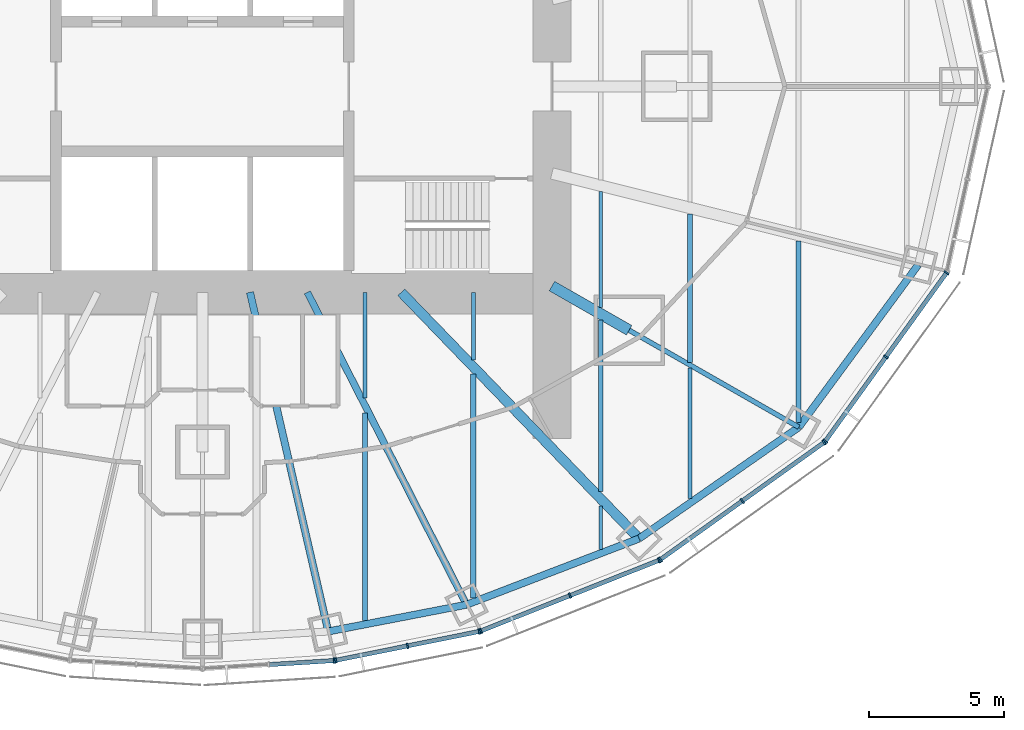
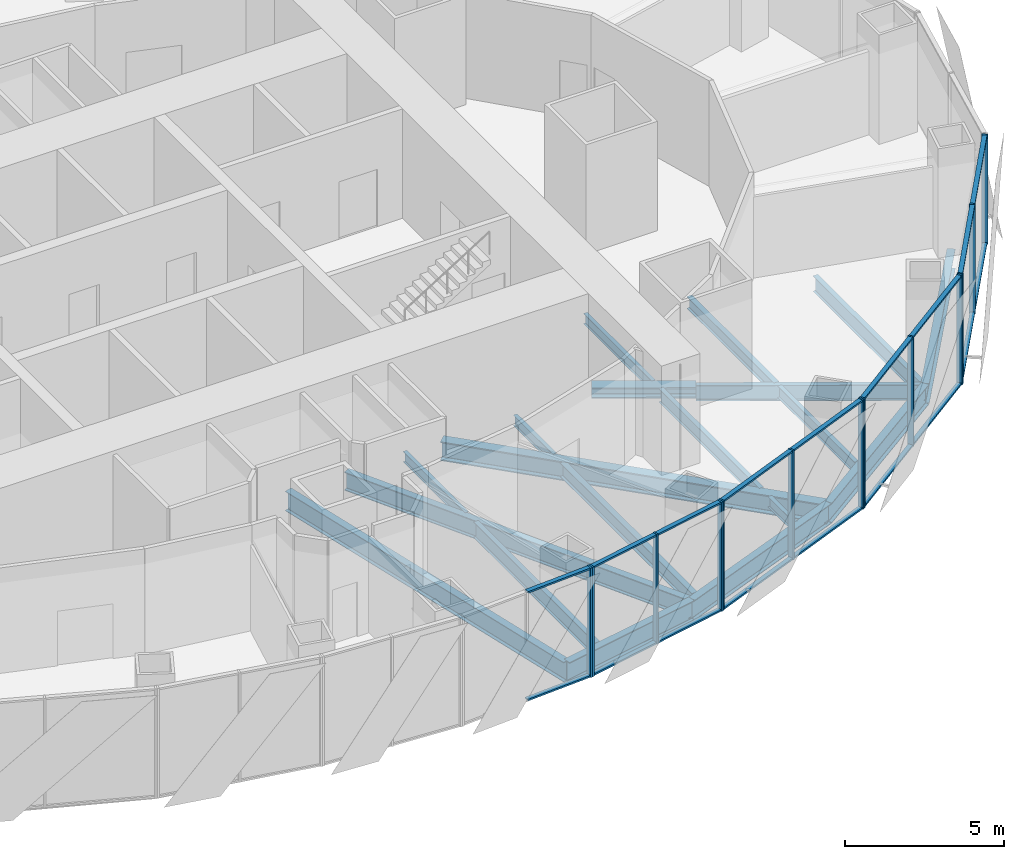
# One storey, part 5 of 17: 31 members, 19 beams, 5 elements without a shape of their own.
"""IFC4 building model written with IfcOpenShell, lengths in metres."""

from ifc_helpers import new_model, si_unit, direction, frame, origin, origin_2d, place, context, subcontext, project, spatial, rectangle, i_section, extrude, material, material_profile, profile_set, type_object, element, aggregate, save


model = new_model("IFC4")

# Units and contexts
model_context = context("Model", 3, precision=1e-05, world=origin(), true_north=direction((0.0, 1.0)))
body_context = subcontext(model_context, "Body", "Model", "MODEL_VIEW")
ifc_project = project(units=[si_unit("LENGTHUNIT", "METRE"), si_unit("AREAUNIT", "SQUARE_METRE"), si_unit("VOLUMEUNIT", "CUBIC_METRE"), si_unit("PLANEANGLEUNIT", "RADIAN"), si_unit("MASSUNIT", "GRAM", prefix="KILO")], contexts=[model_context])

# Site, building, storey
site_placement = place(None, origin())
site = spatial("IfcSite", under=ifc_project, at=site_placement, CompositionType="ELEMENT")
building_placement = place(site_placement, origin())
building = spatial("IfcBuilding", under=site, at=building_placement, Name="Lantaw Convention Tower", CompositionType="ELEMENT")
storey_placement = place(building_placement, frame((0.0, 0.0, 155.199951171875)))
storey = spatial("IfcBuildingStorey", under=building, at=storey_placement, Name="L36", CompositionType="ELEMENT", Elevation=155.199951171875)

# Beams
ifc_material_1 = material(Name="Steel ASTM A992", Category="steel")
ifc_material_profile_1 = material_profile(ifc_material_1, i_section(OverallWidth=0.2666015625, OverallDepth=0.76953125, WebThickness=0.015625, FlangeThickness=0.025390625, FilletRadius=0.0126953125, at=origin_2d()), Name="W30X132")
ifc_profile_set_1 = profile_set([ifc_material_profile_1], Name="Steel ASTM A992")
beam_type_1 = type_object("IfcBeamType", Name="Beam E W30X132", PredefinedType="SPANDREL", material=ifc_profile_set_1)
beam_1_placement = place(storey_placement, frame((4.64501953125, -20.1201171875, -0.53466796875), z_axis=(0.981796805654, 0.189934284446, 0.0), x_axis=(-0.189934284446, 0.981796805654, 0.0)))
element("IfcBeam", 1, at=beam_1_placement, inside=storey, type_object=beam_type_1, Name="Edge beam 20", PredefinedType="SPANDREL", context=body_context, shape_type="SweptSolid", body=[
    extrude(i_section(OverallWidth=0.2666015625, OverallDepth=0.76953125, WebThickness=0.015625, FlangeThickness=0.025390625, FilletRadius=0.0126953125, at=origin_2d()), origin(), (0.0, 0.0, 1.0), 5.1982421875),
])
beam_2_placement = place(storey_placement, frame((9.74853515625, -19.1328125, -0.53466796875), z_axis=(0.933691081977, 0.358079549033, 0.0), x_axis=(-0.358079549033, 0.933691081977, 0.0)))
element("IfcBeam", 2, at=beam_2_placement, inside=storey, type_object=beam_type_1, Name="Edge beam 21", PredefinedType="SPANDREL", context=body_context, shape_type="SweptSolid", body=[
    extrude(i_section(OverallWidth=0.2666015625, OverallDepth=0.76953125, WebThickness=0.015625, FlangeThickness=0.025390625, FilletRadius=0.0126953125, at=origin_2d()), origin(), (0.0, 0.0, 1.0), 6.821533203125),
])
beam_3_placement = place(storey_placement, frame((16.11767578125, -16.690185546875, -0.53466796875), z_axis=(0.820310765287, 0.57191804339, 0.0), x_axis=(-0.57191804339, 0.820310765287, 0.0)))
element("IfcBeam", 3, at=beam_3_placement, inside=storey, type_object=beam_type_1, Name="Edge beam 22", PredefinedType="SPANDREL", context=body_context, shape_type="SweptSolid", body=[
    extrude(i_section(OverallWidth=0.2666015625, OverallDepth=0.76953125, WebThickness=0.015625, FlangeThickness=0.025390625, FilletRadius=0.0126953125, at=origin_2d()), origin(), (0.0, 0.0, 1.0), 7.187744140625),
])
beam_4_placement = place(storey_placement, frame((22.013916015625, -12.579345703125, -0.53466796875), z_axis=(0.5923891972, 0.805651934176, 0.0), x_axis=(-0.805651934176, 0.5923891972, 0.0)))
element("IfcBeam", 4, at=beam_4_placement, inside=storey, type_object=beam_type_1, Name="Edge beam 23", PredefinedType="SPANDREL", context=body_context, shape_type="SweptSolid", body=[
    extrude(i_section(OverallWidth=0.2666015625, OverallDepth=0.76953125, WebThickness=0.015625, FlangeThickness=0.025390625, FilletRadius=0.0126953125, at=origin_2d()), origin(), (0.0, 0.0, 1.0), 7.437744140625),
])
ifc_material_profile_2 = material_profile(ifc_material_1, i_section(OverallWidth=0.177978515625, OverallDepth=0.599365234375, WebThickness=0.010009765625, FlangeThickness=0.012939453125, FilletRadius=0.012939453125, at=origin_2d()), Name="W24X55")
ifc_profile_set_2 = profile_set([ifc_material_profile_2], Name="Steel ASTM A992")
beam_type_2 = type_object("IfcBeamType", Name="Beam G W24X55", PredefinedType="BEAM", material=ifc_profile_set_2)
beam_5_placement = place(storey_placement, frame((15.75, -9.0, -0.44970703125), z_axis=(0.868245224608, -0.496135293993, 0.0), x_axis=(0.496135293993, 0.868245224608, 0.0)))
element("IfcBeam", 5, at=beam_5_placement, inside=storey, type_object=beam_type_2, Name="Floor girder on ray 23", PredefinedType="BEAM", context=body_context, shape_type="SweptSolid", body=[
    extrude(i_section(OverallWidth=0.177978515625, OverallDepth=0.599365234375, WebThickness=0.010009765625, FlangeThickness=0.012939453125, FilletRadius=0.012939453125, at=origin_2d()), origin(), (0.0, 0.0, 1.0), 7.21435546875),
])
ifc_material_profile_3 = material_profile(ifc_material_1, i_section(OverallWidth=0.25390625, OverallDepth=0.700927734375, WebThickness=0.015380859375, FlangeThickness=0.02783203125, FilletRadius=0.01513671875, at=origin_2d()), Name="W27X129")
ifc_profile_set_3 = profile_set([ifc_material_profile_3], Name="Steel ASTM A992")
beam_type_3 = type_object("IfcBeamType", Name="Beam G W27X129", PredefinedType="BEAM", material=ifc_profile_set_3)
beam_6_placement = place(storey_placement, frame((3.872314453125, -7.60009765625, -0.50048828125), z_axis=(0.453991051051, -0.891006243281, 0.0), x_axis=(0.891006243281, 0.453991051051, 0.0)))
element("IfcBeam", 6, at=beam_6_placement, inside=storey, type_object=beam_type_3, Name="Floor girder on ray 21", PredefinedType="BEAM", context=body_context, shape_type="SweptSolid", body=[
    extrude(i_section(OverallWidth=0.25390625, OverallDepth=0.700927734375, WebThickness=0.015380859375, FlangeThickness=0.02783203125, FilletRadius=0.01513671875, at=origin_2d()), origin(), (0.0, 0.0, 1.0), 12.943359375),
])
ifc_material_profile_4 = material_profile(ifc_material_1, i_section(OverallWidth=0.360595703125, OverallDepth=0.72900390625, WebThickness=0.023193359375, FlangeThickness=0.041015625, FilletRadius=0.0126953125, at=origin_2d()), Name="W27X235")
ifc_profile_set_4 = profile_set([ifc_material_profile_4], Name="Steel ASTM A992")
beam_type_4 = type_object("IfcBeamType", Name="Beam G W27X235", PredefinedType="BEAM", material=ifc_profile_set_4)
beam_7_placement = place(storey_placement, frame((7.33935546875, -7.60009765625, -0.514404296875), z_axis=(0.694663467407, -0.719334878239, 0.0), x_axis=(0.719334878239, 0.694663467407, 0.0)))
element("IfcBeam", 7, at=beam_7_placement, inside=storey, type_object=beam_type_4, Name="Floor girder on ray 22", PredefinedType="BEAM", context=body_context, shape_type="SweptSolid", body=[
    extrude(i_section(OverallWidth=0.360595703125, OverallDepth=0.72900390625, WebThickness=0.023193359375, FlangeThickness=0.041015625, FilletRadius=0.0126953125, at=origin_2d()), origin(), (0.0, 0.0, 1.0), 12.63671875),
])
ifc_material_profile_5 = material_profile(ifc_material_1, i_section(OverallWidth=0.2666015625, OverallDepth=0.7568359375, WebThickness=0.013916015625, FlangeThickness=0.019287109375, FilletRadius=0.0126953125, at=origin_2d()), Name="W30X108")
ifc_profile_set_5 = profile_set([ifc_material_profile_5], Name="Steel ASTM A992")
beam_type_5 = type_object("IfcBeamType", Name="Beam G W30X108", PredefinedType="BEAM", material=ifc_profile_set_5)
beam_8_placement = place(storey_placement, frame((1.754638671875, -7.60009765625, -0.5283203125), z_axis=(0.224944153104, -0.974371658036, 0.0), x_axis=(0.974371658036, 0.224944153104, 0.0)))
element("IfcBeam", 8, at=beam_8_placement, inside=storey, type_object=beam_type_5, Name="Floor girder on ray 20", PredefinedType="BEAM", context=body_context, shape_type="SweptSolid", body=[
    extrude(i_section(OverallWidth=0.2666015625, OverallDepth=0.7568359375, WebThickness=0.013916015625, FlangeThickness=0.019287109375, FilletRadius=0.0126953125, at=origin_2d()), origin(), (0.0, 0.0, 1.0), 12.849365234375),
])
ifc_material_profile_6 = material_profile(ifc_material_1, i_section(OverallWidth=0.40380859375, OverallDepth=0.406494140625, WebThickness=0.027099609375, FlangeThickness=0.043701171875, FilletRadius=0.01513671875, at=origin_2d()), Name="W14X233")
ifc_profile_set_6 = profile_set([ifc_material_profile_6], Name="Steel ASTM A992")
beam_type_6 = type_object("IfcBeamType", Name="Beam GM W14X233", PredefinedType="BEAM", material=ifc_profile_set_6)
beam_9_placement = place(storey_placement, frame((12.89990234375, -7.371337890625, -0.353271484375), z_axis=(0.868238565244, -0.496146947811, 0.0), x_axis=(0.496146947811, 0.868238565244, 0.0)))
element("IfcBeam", 9, at=beam_9_placement, inside=storey, type_object=beam_type_6, Name="Core link beam on ray 23", PredefinedType="BEAM", context=body_context, shape_type="SweptSolid", body=[
    extrude(i_section(OverallWidth=0.40380859375, OverallDepth=0.406494140625, WebThickness=0.027099609375, FlangeThickness=0.043701171875, FilletRadius=0.01513671875, at=origin_2d()), origin(), (0.0, 0.0, 1.0), 3.28271484375),
])
ifc_material_profile_7 = material_profile(ifc_material_1, i_section(OverallWidth=0.140380859375, OverallDepth=0.40380859375, WebThickness=0.007080078125, FlangeThickness=0.01123046875, FilletRadius=0.01025390625, at=origin_2d()), Name="W16X31")
ifc_profile_set_7 = profile_set([ifc_material_profile_7], Name="Steel ASTM A992")
beam_type_7 = type_object("IfcBeamType", Name="Beam J W16X31", PredefinedType="JOIST", material=ifc_profile_set_7)
beam_10_placement = place(storey_placement, frame((6.0, -11.495849609375, -0.351806640625), z_axis=(0.0, 1.0, 0.0), x_axis=(-1.0, 0.0, 0.0)))
element("IfcBeam", 10, at=beam_10_placement, inside=storey, type_object=beam_type_7, Name="Floor joist", PredefinedType="JOIST", context=body_context, shape_type="SweptSolid", body=[
    extrude(i_section(OverallWidth=0.140380859375, OverallDepth=0.40380859375, WebThickness=0.007080078125, FlangeThickness=0.01123046875, FilletRadius=0.01025390625, at=origin_2d()), origin(), (0.0, 0.0, 1.0), 3.895751953125),
])
beam_11_placement = place(storey_placement, frame((10.0, -10.095703125, -0.351806640625), z_axis=(0.0, 1.0, 0.0), x_axis=(-1.0, 0.0, 0.0)))
element("IfcBeam", 11, at=beam_11_placement, inside=storey, type_object=beam_type_7, Name="Floor joist", PredefinedType="JOIST", context=body_context, shape_type="SweptSolid", body=[
    extrude(i_section(OverallWidth=0.140380859375, OverallDepth=0.40380859375, WebThickness=0.007080078125, FlangeThickness=0.01123046875, FilletRadius=0.01025390625, at=origin_2d()), origin(), (0.0, 0.0, 1.0), 2.49560546875),
])
beam_12_placement = place(storey_placement, frame((14.699951171875, -17.091064453125, -0.351806640625), z_axis=(0.0, 1.0, 0.0), x_axis=(-1.0, 0.0, 0.0)))
element("IfcBeam", 12, at=beam_12_placement, inside=storey, type_object=beam_type_7, Name="Floor joist", PredefinedType="JOIST", context=body_context, shape_type="SweptSolid", body=[
    extrude(i_section(OverallWidth=0.140380859375, OverallDepth=0.40380859375, WebThickness=0.007080078125, FlangeThickness=0.01123046875, FilletRadius=0.01025390625, at=origin_2d()), origin(), (0.0, 0.0, 1.0), 1.609130859375),
])
beam_13_placement = place(storey_placement, frame((14.699951171875, -8.16748046875, -0.351806640625), z_axis=(0.0, 1.0, 0.0), x_axis=(-1.0, 0.0, 0.0)))
element("IfcBeam", 13, at=beam_13_placement, inside=storey, type_object=beam_type_7, Name="Floor joist", PredefinedType="JOIST", context=body_context, shape_type="SweptSolid", body=[
    extrude(i_section(OverallWidth=0.140380859375, OverallDepth=0.40380859375, WebThickness=0.007080078125, FlangeThickness=0.01123046875, FilletRadius=0.01025390625, at=origin_2d()), origin(), (0.0, 0.0, 1.0), 4.28515625),
])
ifc_material_profile_8 = material_profile(ifc_material_1, i_section(OverallWidth=0.15234375, OverallDepth=0.449462890625, WebThickness=0.007568359375, FlangeThickness=0.0107421875, FilletRadius=0.01025390625, at=origin_2d()), Name="W18X35")
ifc_profile_set_8 = profile_set([ifc_material_profile_8], Name="Steel ASTM A992")
beam_type_8 = type_object("IfcBeamType", Name="Beam J W18X35", PredefinedType="JOIST", material=ifc_profile_set_8)
beam_14_placement = place(storey_placement, frame((18.0, -15.21533203125, -0.374755859375), z_axis=(0.0, 1.0, 0.0), x_axis=(-1.0, 0.0, 0.0)))
element("IfcBeam", 14, at=beam_14_placement, inside=storey, type_object=beam_type_8, Name="Floor joist", PredefinedType="JOIST", context=body_context, shape_type="SweptSolid", body=[
    extrude(i_section(OverallWidth=0.15234375, OverallDepth=0.449462890625, WebThickness=0.007568359375, FlangeThickness=0.0107421875, FilletRadius=0.01025390625, at=origin_2d()), origin(), (0.0, 0.0, 1.0), 4.8271484375),
])
ifc_material_profile_9 = material_profile(ifc_material_1, i_section(OverallWidth=0.1904296875, OverallDepth=0.457275390625, WebThickness=0.009033203125, FlangeThickness=0.014404296875, FilletRadius=0.01025390625, at=origin_2d()), Name="W18X50")
ifc_profile_set_9 = profile_set([ifc_material_profile_9], Name="Steel ASTM A992")
beam_type_9 = type_object("IfcBeamType", Name="Beam J W18X50", PredefinedType="JOIST", material=ifc_profile_set_9)
beam_15_placement = place(storey_placement, frame((18.0, -10.18310546875, -0.378662109375), z_axis=(0.0, 1.0, 0.0), x_axis=(-1.0, 0.0, 0.0)))
element("IfcBeam", 15, at=beam_15_placement, inside=storey, type_object=beam_type_9, Name="Floor joist", PredefinedType="JOIST", context=body_context, shape_type="SweptSolid", body=[
    extrude(i_section(OverallWidth=0.1904296875, OverallDepth=0.457275390625, WebThickness=0.009033203125, FlangeThickness=0.014404296875, FilletRadius=0.01025390625, at=origin_2d()), origin(), (0.0, 0.0, 1.0), 5.47802734375),
])
ifc_material_profile_10 = material_profile(ifc_material_1, i_section(OverallWidth=0.1650390625, OverallDepth=0.52587890625, WebThickness=0.0087890625, FlangeThickness=0.011474609375, FilletRadius=0.0126953125, at=origin_2d()), Name="W21X44")
ifc_profile_set_10 = profile_set([ifc_material_profile_10], Name="Steel ASTM A992")
beam_type_10 = type_object("IfcBeamType", Name="Beam J W21X44", PredefinedType="JOIST", material=ifc_profile_set_10)
beam_16_placement = place(storey_placement, frame((14.699951171875, -14.962646484375, -0.412841796875), z_axis=(0.0, 1.0, 0.0), x_axis=(-1.0, 0.0, 0.0)))
element("IfcBeam", 16, at=beam_16_placement, inside=storey, type_object=beam_type_10, Name="Floor joist", PredefinedType="JOIST", context=body_context, shape_type="SweptSolid", body=[
    extrude(i_section(OverallWidth=0.1650390625, OverallDepth=0.52587890625, WebThickness=0.0087890625, FlangeThickness=0.011474609375, FilletRadius=0.0126953125, at=origin_2d()), origin(), (0.0, 0.0, 1.0), 6.330078125),
])
ifc_material_profile_11 = material_profile(ifc_material_1, i_section(OverallWidth=0.2099609375, OverallDepth=0.535888671875, WebThickness=0.010986328125, FlangeThickness=0.017333984375, FilletRadius=0.012939453125, at=origin_2d()), Name="W21X68")
ifc_profile_set_11 = profile_set([ifc_material_profile_11], Name="Steel ASTM A992")
beam_type_11 = type_object("IfcBeamType", Name="Beam J W21X68", PredefinedType="JOIST", material=ifc_profile_set_11)
beam_17_placement = place(storey_placement, frame((10.0, -18.8935546875, -0.41796875), z_axis=(0.0, 1.0, 0.0), x_axis=(-1.0, 0.0, 0.0)))
element("IfcBeam", 17, at=beam_17_placement, inside=storey, type_object=beam_type_11, Name="Floor joist", PredefinedType="JOIST", context=body_context, shape_type="SweptSolid", body=[
    extrude(i_section(OverallWidth=0.2099609375, OverallDepth=0.535888671875, WebThickness=0.010986328125, FlangeThickness=0.017333984375, FilletRadius=0.012939453125, at=origin_2d()), origin(), (0.0, 0.0, 1.0), 8.278564453125),
])
ifc_material_profile_12 = material_profile(ifc_material_1, i_section(OverallWidth=0.177978515625, OverallDepth=0.599365234375, WebThickness=0.010009765625, FlangeThickness=0.012939453125, FilletRadius=0.012939453125, at=origin_2d()), Name="W24X55")
ifc_profile_set_12 = profile_set([ifc_material_profile_12], Name="Steel ASTM A992")
beam_type_12 = type_object("IfcBeamType", Name="Beam J W24X55", PredefinedType="JOIST", material=ifc_profile_set_12)
beam_18_placement = place(storey_placement, frame((6.0, -19.72216796875, -0.44970703125), z_axis=(0.0, 1.0, 0.0), x_axis=(-1.0, 0.0, 0.0)))
element("IfcBeam", 18, at=beam_18_placement, inside=storey, type_object=beam_type_12, Name="Floor joist", PredefinedType="JOIST", context=body_context, shape_type="SweptSolid", body=[
    extrude(i_section(OverallWidth=0.177978515625, OverallDepth=0.599365234375, WebThickness=0.010009765625, FlangeThickness=0.012939453125, FilletRadius=0.012939453125, at=origin_2d()), origin(), (0.0, 0.0, 1.0), 7.666748046875),
])
beam_19_placement = place(storey_placement, frame((22.0, -12.408935546875, -0.44970703125), z_axis=(0.0, 1.0, 0.0), x_axis=(-1.0, 0.0, 0.0)))
element("IfcBeam", 19, at=beam_19_placement, inside=storey, type_object=beam_type_12, Name="Floor joist", PredefinedType="JOIST", context=body_context, shape_type="SweptSolid", body=[
    extrude(i_section(OverallWidth=0.177978515625, OverallDepth=0.599365234375, WebThickness=0.010009765625, FlangeThickness=0.012939453125, FilletRadius=0.012939453125, at=origin_2d()), origin(), (0.0, 0.0, 1.0), 6.70654296875),
])

# Curtain wall, member
ifc_material_2 = material(Name="Aluminium framed curtain wall", Category="aluminium")
curtain_wall_type = type_object("IfcCurtainWallType", Name="Office curtain wall low rise, pale aluminium", PredefinedType="USERDEFINED", material=ifc_material_2)
curtain_wall_1_placement = place(storey_placement, origin())
curtain_wall_1 = element("IfcCurtainWall", 20, at=curtain_wall_1_placement, inside=storey, type_object=curtain_wall_type, Name="Office curtain wall low rise, pale aluminium L36", ObjectType="UNITISED CURTAIN WALL", PredefinedType="USERDEFINED")
ifc_material_3 = material(Name="Aluminium 6063-T6", Category="aluminium")
ifc_material_profile_13 = material_profile(ifc_material_3, rectangle(XDim=0.199951171875, YDim=0.06494140625, at=origin_2d()), Name="CW-O1 mullion 65x200")
ifc_profile_set_13 = profile_set([ifc_material_profile_13], Name="Aluminium 6063-T6")
member_type_1 = type_object("IfcMemberType", Name="CW-O1 mullion 65x200", PredefinedType="MULLION", material=ifc_profile_set_13)
member_1_placement = place(storey_placement, frame((4.860107421875, -21.19384765625, -0.14990234375), z_axis=(0.0, 0.0, 1.0), x_axis=(-0.062865059466, 0.998022035978, 0.0)))
member_1 = element("IfcMember", 21, at=member_1_placement, type_object=member_type_1, Name="CW-O1 mullion 3", PredefinedType="MULLION", context=body_context, shape_type="SweptSolid", body=[
    extrude(rectangle(XDim=0.199951171875, YDim=0.06494140625, at=origin_2d()), origin(), (0.0, 0.0, 1.0), 4.199951171875),
])

# Curtain wall, members
curtain_wall_2_placement = place(storey_placement, origin())
curtain_wall_2 = element("IfcCurtainWall", 22, at=curtain_wall_2_placement, inside=storey, type_object=curtain_wall_type, Name="Office curtain wall low rise, pale aluminium L36", ObjectType="UNITISED CURTAIN WALL", PredefinedType="USERDEFINED")
member_2_placement = place(storey_placement, frame((4.92431640625, -21.185302734375, -0.14990234375), z_axis=(0.0, 0.0, 1.0), x_axis=(-0.197506809659, 0.980301514912, 0.0)))
member_2 = element("IfcMember", 23, at=member_2_placement, type_object=member_type_1, Name="CW-O1 mullion 1", PredefinedType="MULLION", context=body_context, shape_type="SweptSolid", body=[
    extrude(rectangle(XDim=0.199951171875, YDim=0.06494140625, at=origin_2d()), origin(), (0.0, 0.0, 1.0), 4.199951171875),
])
member_3_placement = place(storey_placement, frame((7.5703125, -20.65234375, -0.14990234375), z_axis=(0.0, 0.0, 1.0), x_axis=(-0.197506809659, 0.980301514912, 0.0)))
member_3 = element("IfcMember", 24, at=member_3_placement, type_object=member_type_1, Name="CW-O1 mullion 2", PredefinedType="MULLION", context=body_context, shape_type="SweptSolid", body=[
    extrude(rectangle(XDim=0.199951171875, YDim=0.06494140625, at=origin_2d()), origin(), (0.0, 0.0, 1.0), 4.199951171875),
])
member_4_placement = place(storey_placement, frame((10.216064453125, -20.119140625, -0.14990234375), z_axis=(0.0, 0.0, 1.0), x_axis=(-0.197506809659, 0.980301514912, 0.0)))
member_4 = element("IfcMember", 25, at=member_4_placement, type_object=member_type_1, Name="CW-O1 mullion 3", PredefinedType="MULLION", context=body_context, shape_type="SweptSolid", body=[
    extrude(rectangle(XDim=0.199951171875, YDim=0.06494140625, at=origin_2d()), origin(), (0.0, 0.0, 1.0), 4.199951171875),
])

curtain_wall_3_placement = place(storey_placement, origin())
curtain_wall_3 = element("IfcCurtainWall", 26, at=curtain_wall_3_placement, inside=storey, type_object=curtain_wall_type, Name="Office curtain wall low rise, pale aluminium L36", ObjectType="UNITISED CURTAIN WALL", PredefinedType="USERDEFINED")
member_5_placement = place(storey_placement, frame((10.2783203125, -20.100830078125, -0.14990234375), z_axis=(0.0, 0.0, 1.0), x_axis=(-0.368701907483, 0.929547687544, 0.0)))
member_5 = element("IfcMember", 27, at=member_5_placement, type_object=member_type_1, Name="CW-O1 mullion 1", PredefinedType="MULLION", context=body_context, shape_type="SweptSolid", body=[
    extrude(rectangle(XDim=0.199951171875, YDim=0.06494140625, at=origin_2d()), origin(), (0.0, 0.0, 1.0), 4.199951171875),
])
member_6_placement = place(storey_placement, frame((13.56494140625, -18.797119140625, -0.14990234375), z_axis=(0.0, 0.0, 1.0), x_axis=(-0.368701907483, 0.929547687544, 0.0)))
member_6 = element("IfcMember", 28, at=member_6_placement, type_object=member_type_1, Name="CW-O1 mullion 2", PredefinedType="MULLION", context=body_context, shape_type="SweptSolid", body=[
    extrude(rectangle(XDim=0.199951171875, YDim=0.06494140625, at=origin_2d()), origin(), (0.0, 0.0, 1.0), 4.199951171875),
])
member_7_placement = place(storey_placement, frame((16.8515625, -17.49365234375, -0.14990234375), z_axis=(0.0, 0.0, 1.0), x_axis=(-0.368701907483, 0.929547687544, 0.0)))
member_7 = element("IfcMember", 29, at=member_7_placement, type_object=member_type_1, Name="CW-O1 mullion 3", PredefinedType="MULLION", context=body_context, shape_type="SweptSolid", body=[
    extrude(rectangle(XDim=0.199951171875, YDim=0.06494140625, at=origin_2d()), origin(), (0.0, 0.0, 1.0), 4.199951171875),
])

curtain_wall_4_placement = place(storey_placement, origin())
curtain_wall_4 = element("IfcCurtainWall", 30, at=curtain_wall_4_placement, inside=storey, type_object=curtain_wall_type, Name="Office curtain wall low rise, pale aluminium L36", ObjectType="UNITISED CURTAIN WALL", PredefinedType="USERDEFINED")
member_8_placement = place(storey_placement, frame((16.908203125, -17.462646484375, -0.14990234375), z_axis=(0.0, 0.0, 1.0), x_axis=(-0.581972695693, 0.813208325995, 0.0)))
member_8 = element("IfcMember", 31, at=member_8_placement, type_object=member_type_1, Name="CW-O1 mullion 1", PredefinedType="MULLION", context=body_context, shape_type="SweptSolid", body=[
    extrude(rectangle(XDim=0.199951171875, YDim=0.06494140625, at=origin_2d()), origin(), (0.0, 0.0, 1.0), 4.199951171875),
])
member_9_placement = place(storey_placement, frame((19.92529296875, -15.303466796875, -0.14990234375), z_axis=(0.0, 0.0, 1.0), x_axis=(-0.581972695693, 0.813208325995, 0.0)))
member_9 = element("IfcMember", 32, at=member_9_placement, type_object=member_type_1, Name="CW-O1 mullion 2", PredefinedType="MULLION", context=body_context, shape_type="SweptSolid", body=[
    extrude(rectangle(XDim=0.199951171875, YDim=0.06494140625, at=origin_2d()), origin(), (0.0, 0.0, 1.0), 4.199951171875),
])
member_10_placement = place(storey_placement, frame((22.942626953125, -13.14404296875, -0.14990234375), z_axis=(0.0, 0.0, 1.0), x_axis=(-0.581972695693, 0.813208325995, 0.0)))
member_10 = element("IfcMember", 33, at=member_10_placement, type_object=member_type_1, Name="CW-O1 mullion 3", PredefinedType="MULLION", context=body_context, shape_type="SweptSolid", body=[
    extrude(rectangle(XDim=0.199951171875, YDim=0.06494140625, at=origin_2d()), origin(), (0.0, 0.0, 1.0), 4.199951171875),
])

curtain_wall_5_placement = place(storey_placement, origin())
curtain_wall_5 = element("IfcCurtainWall", 34, at=curtain_wall_5_placement, inside=storey, type_object=curtain_wall_type, Name="Office curtain wall low rise, pale aluminium L36", ObjectType="UNITISED CURTAIN WALL", PredefinedType="USERDEFINED")
member_11_placement = place(storey_placement, frame((22.988037109375, -13.098876953125, -0.14990234375), z_axis=(0.0, 0.0, 1.0), x_axis=(-0.811384633629, 0.584512597221, 0.0)))
member_11 = element("IfcMember", 35, at=member_11_placement, type_object=member_type_1, Name="CW-O1 mullion 1", PredefinedType="MULLION", context=body_context, shape_type="SweptSolid", body=[
    extrude(rectangle(XDim=0.199951171875, YDim=0.06494140625, at=origin_2d()), origin(), (0.0, 0.0, 1.0), 4.199951171875),
])
member_12_placement = place(storey_placement, frame((25.22802734375, -9.9892578125, -0.14990234375), z_axis=(0.0, 0.0, 1.0), x_axis=(-0.811384633629, 0.584512597221, 0.0)))
member_12 = element("IfcMember", 36, at=member_12_placement, type_object=member_type_1, Name="CW-O1 mullion 2", PredefinedType="MULLION", context=body_context, shape_type="SweptSolid", body=[
    extrude(rectangle(XDim=0.199951171875, YDim=0.06494140625, at=origin_2d()), origin(), (0.0, 0.0, 1.0), 4.199951171875),
])
member_13_placement = place(storey_placement, frame((27.46826171875, -6.879638671875, -0.14990234375), z_axis=(0.0, 0.0, 1.0), x_axis=(-0.811384633629, 0.584512597221, 0.0)))
member_13 = element("IfcMember", 37, at=member_13_placement, type_object=member_type_1, Name="CW-O1 mullion 3", PredefinedType="MULLION", context=body_context, shape_type="SweptSolid", body=[
    extrude(rectangle(XDim=0.199951171875, YDim=0.06494140625, at=origin_2d()), origin(), (0.0, 0.0, 1.0), 4.199951171875),
])

# Member
ifc_material_profile_14 = material_profile(ifc_material_3, rectangle(XDim=0.159912109375, YDim=0.06494140625, at=origin_2d()), Name="CW-O1 transom 65x160")
ifc_profile_set_14 = profile_set([ifc_material_profile_14], Name="Aluminium 6063-T6")
member_type_2 = type_object("IfcMemberType", Name="CW-O1 transom 65x160", PredefinedType="USERDEFINED", material=ifc_profile_set_14)
member_14_placement = place(storey_placement, frame((2.478759765625, -21.34375, -0.117431640625), z_axis=(0.998022188463, 0.062862638625, 0.0), x_axis=(-0.062862638625, 0.998022188463, 0.0)))
member_14 = element("IfcMember", 38, at=member_14_placement, type_object=member_type_2, Name="CW-O1 transom 2.1", ObjectType="TRANSOM", PredefinedType="USERDEFINED", context=body_context, shape_type="SweptSolid", body=[
    extrude(rectangle(XDim=0.159912109375, YDim=0.06494140625, at=origin_2d()), origin(), (0.0, 0.0, 1.0), 2.353515625),
])

member_15_placement = place(storey_placement, frame((2.478759765625, -21.34375, 4.017578125), z_axis=(0.998022188463, 0.062862638625, 0.0), x_axis=(-0.062862638625, 0.998022188463, 0.0)))
member_15 = element("IfcMember", 39, at=member_15_placement, type_object=member_type_2, Name="CW-O1 transom 2.2", ObjectType="TRANSOM", PredefinedType="USERDEFINED", context=body_context, shape_type="SweptSolid", body=[
    extrude(rectangle(XDim=0.159912109375, YDim=0.06494140625, at=origin_2d()), origin(), (0.0, 0.0, 1.0), 2.353515625),
])

aggregate(curtain_wall_1, [member_1, member_14, member_15])

member_16_placement = place(storey_placement, frame((4.956298828125, -21.178955078125, -0.117431640625), z_axis=(0.980298027092, 0.197524120247, 0.0), x_axis=(-0.197524120247, 0.980298027092, 0.0)))
member_16 = element("IfcMember", 40, at=member_16_placement, type_object=member_type_2, Name="CW-O1 transom 1.1", ObjectType="TRANSOM", PredefinedType="USERDEFINED", context=body_context, shape_type="SweptSolid", body=[
    extrude(rectangle(XDim=0.159912109375, YDim=0.06494140625, at=origin_2d()), origin(), (0.0, 0.0, 1.0), 2.634033203125),
])

member_17_placement = place(storey_placement, frame((4.956298828125, -21.178955078125, 4.017578125), z_axis=(0.980298027092, 0.197524120247, 0.0), x_axis=(-0.197524120247, 0.980298027092, 0.0)))
member_17 = element("IfcMember", 41, at=member_17_placement, type_object=member_type_2, Name="CW-O1 transom 1.2", ObjectType="TRANSOM", PredefinedType="USERDEFINED", context=body_context, shape_type="SweptSolid", body=[
    extrude(rectangle(XDim=0.159912109375, YDim=0.06494140625, at=origin_2d()), origin(), (0.0, 0.0, 1.0), 2.634033203125),
])

member_18_placement = place(storey_placement, frame((7.60205078125, -20.64599609375, -0.117431640625), z_axis=(0.980301643003, 0.197506173891, 0.0), x_axis=(-0.197506173891, 0.980301643003, 0.0)))
member_18 = element("IfcMember", 42, at=member_18_placement, type_object=member_type_2, Name="CW-O1 transom 2.1", ObjectType="TRANSOM", PredefinedType="USERDEFINED", context=body_context, shape_type="SweptSolid", body=[
    extrude(rectangle(XDim=0.159912109375, YDim=0.06494140625, at=origin_2d()), origin(), (0.0, 0.0, 1.0), 2.63427734375),
])

member_19_placement = place(storey_placement, frame((7.60205078125, -20.64599609375, 4.017578125), z_axis=(0.980301643003, 0.197506173891, 0.0), x_axis=(-0.197506173891, 0.980301643003, 0.0)))
member_19 = element("IfcMember", 43, at=member_19_placement, type_object=member_type_2, Name="CW-O1 transom 2.2", ObjectType="TRANSOM", PredefinedType="USERDEFINED", context=body_context, shape_type="SweptSolid", body=[
    extrude(rectangle(XDim=0.159912109375, YDim=0.06494140625, at=origin_2d()), origin(), (0.0, 0.0, 1.0), 2.63427734375),
])

aggregate(curtain_wall_2, [member_2, member_3, member_4, member_16, member_17, member_18, member_19])

member_20_placement = place(storey_placement, frame((10.308349609375, -20.0888671875, -0.117431640625), z_axis=(0.929540081544, 0.368721082668, 0.0), x_axis=(-0.368721082668, 0.929540081544, 0.0)))
member_20 = element("IfcMember", 44, at=member_20_placement, type_object=member_type_2, Name="CW-O1 transom 1.1", ObjectType="TRANSOM", PredefinedType="USERDEFINED", context=body_context, shape_type="SweptSolid", body=[
    extrude(rectangle(XDim=0.159912109375, YDim=0.06494140625, at=origin_2d()), origin(), (0.0, 0.0, 1.0), 3.470947265625),
])

member_21_placement = place(storey_placement, frame((10.308349609375, -20.0888671875, 4.017578125), z_axis=(0.929540081544, 0.368721082668, 0.0), x_axis=(-0.368721082668, 0.929540081544, 0.0)))
member_21 = element("IfcMember", 45, at=member_21_placement, type_object=member_type_2, Name="CW-O1 transom 1.2", ObjectType="TRANSOM", PredefinedType="USERDEFINED", context=body_context, shape_type="SweptSolid", body=[
    extrude(rectangle(XDim=0.159912109375, YDim=0.06494140625, at=origin_2d()), origin(), (0.0, 0.0, 1.0), 3.470947265625),
])

member_22_placement = place(storey_placement, frame((13.594970703125, -18.78515625, -0.117431640625), z_axis=(0.929564188507, 0.368660303592, 0.0), x_axis=(-0.368660303592, 0.929564188507, 0.0)))
member_22 = element("IfcMember", 46, at=member_22_placement, type_object=member_type_2, Name="CW-O1 transom 2.1", ObjectType="TRANSOM", PredefinedType="USERDEFINED", context=body_context, shape_type="SweptSolid", body=[
    extrude(rectangle(XDim=0.159912109375, YDim=0.06494140625, at=origin_2d()), origin(), (0.0, 0.0, 1.0), 3.470703125),
])

member_23_placement = place(storey_placement, frame((13.594970703125, -18.78515625, 4.017578125), z_axis=(0.929564188507, 0.368660303592, 0.0), x_axis=(-0.368660303592, 0.929564188507, 0.0)))
member_23 = element("IfcMember", 47, at=member_23_placement, type_object=member_type_2, Name="CW-O1 transom 2.2", ObjectType="TRANSOM", PredefinedType="USERDEFINED", context=body_context, shape_type="SweptSolid", body=[
    extrude(rectangle(XDim=0.159912109375, YDim=0.06494140625, at=origin_2d()), origin(), (0.0, 0.0, 1.0), 3.470703125),
])

aggregate(curtain_wall_3, [member_5, member_6, member_7, member_20, member_21, member_22, member_23])

member_24_placement = place(storey_placement, frame((16.9345703125, -17.44384765625, -0.117431640625), z_axis=(0.813190089133, 0.581998177777, 0.0), x_axis=(-0.581998177777, 0.813190089133, 0.0)))
member_24 = element("IfcMember", 48, at=member_24_placement, type_object=member_type_2, Name="CW-O1 transom 1.1", ObjectType="TRANSOM", PredefinedType="USERDEFINED", context=body_context, shape_type="SweptSolid", body=[
    extrude(rectangle(XDim=0.159912109375, YDim=0.06494140625, at=origin_2d()), origin(), (0.0, 0.0, 1.0), 3.645263671875),
])

member_25_placement = place(storey_placement, frame((16.9345703125, -17.44384765625, 4.017578125), z_axis=(0.813190089133, 0.581998177777, 0.0), x_axis=(-0.581998177777, 0.813190089133, 0.0)))
member_25 = element("IfcMember", 49, at=member_25_placement, type_object=member_type_2, Name="CW-O1 transom 1.2", ObjectType="TRANSOM", PredefinedType="USERDEFINED", context=body_context, shape_type="SweptSolid", body=[
    extrude(rectangle(XDim=0.159912109375, YDim=0.06494140625, at=origin_2d()), origin(), (0.0, 0.0, 1.0), 3.645263671875),
])

member_26_placement = place(storey_placement, frame((19.951904296875, -15.284423828125, -0.117431640625), z_axis=(0.813221785972, 0.581953887194, 0.0), x_axis=(-0.581953887194, 0.813221785972, 0.0)))
member_26 = element("IfcMember", 50, at=member_26_placement, type_object=member_type_2, Name="CW-O1 transom 2.1", ObjectType="TRANSOM", PredefinedType="USERDEFINED", context=body_context, shape_type="SweptSolid", body=[
    extrude(rectangle(XDim=0.159912109375, YDim=0.06494140625, at=origin_2d()), origin(), (0.0, 0.0, 1.0), 3.645263671875),
])

member_27_placement = place(storey_placement, frame((19.951904296875, -15.284423828125, 4.017578125), z_axis=(0.813221785972, 0.581953887194, 0.0), x_axis=(-0.581953887194, 0.813221785972, 0.0)))
member_27 = element("IfcMember", 51, at=member_27_placement, type_object=member_type_2, Name="CW-O1 transom 2.2", ObjectType="TRANSOM", PredefinedType="USERDEFINED", context=body_context, shape_type="SweptSolid", body=[
    extrude(rectangle(XDim=0.159912109375, YDim=0.06494140625, at=origin_2d()), origin(), (0.0, 0.0, 1.0), 3.645263671875),
])

aggregate(curtain_wall_4, [member_8, member_9, member_10, member_24, member_25, member_26, member_27])

member_28_placement = place(storey_placement, frame((23.007080078125, -13.072509765625, -0.117431640625), z_axis=(0.584512973979, 0.811384362217, 0.0), x_axis=(-0.811384362217, 0.584512973979, 0.0)))
member_28 = element("IfcMember", 52, at=member_28_placement, type_object=member_type_2, Name="CW-O1 transom 1.1", ObjectType="TRANSOM", PredefinedType="USERDEFINED", context=body_context, shape_type="SweptSolid", body=[
    extrude(rectangle(XDim=0.159912109375, YDim=0.06494140625, at=origin_2d()), origin(), (0.0, 0.0, 1.0), 3.767578125),
])

member_29_placement = place(storey_placement, frame((23.007080078125, -13.072509765625, 4.017578125), z_axis=(0.584512973979, 0.811384362217, 0.0), x_axis=(-0.811384362217, 0.584512973979, 0.0)))
member_29 = element("IfcMember", 53, at=member_29_placement, type_object=member_type_2, Name="CW-O1 transom 1.2", ObjectType="TRANSOM", PredefinedType="USERDEFINED", context=body_context, shape_type="SweptSolid", body=[
    extrude(rectangle(XDim=0.159912109375, YDim=0.06494140625, at=origin_2d()), origin(), (0.0, 0.0, 1.0), 3.767578125),
])

member_30_placement = place(storey_placement, frame((25.2470703125, -9.962890625, -0.117431640625), z_axis=(0.584512973979, 0.811384362217, 0.0), x_axis=(-0.811384362217, 0.584512973979, 0.0)))
member_30 = element("IfcMember", 54, at=member_30_placement, type_object=member_type_2, Name="CW-O1 transom 2.1", ObjectType="TRANSOM", PredefinedType="USERDEFINED", context=body_context, shape_type="SweptSolid", body=[
    extrude(rectangle(XDim=0.159912109375, YDim=0.06494140625, at=origin_2d()), origin(), (0.0, 0.0, 1.0), 3.767578125),
])

member_31_placement = place(storey_placement, frame((25.2470703125, -9.962890625, 4.017578125), z_axis=(0.584512973979, 0.811384362217, 0.0), x_axis=(-0.811384362217, 0.584512973979, 0.0)))
member_31 = element("IfcMember", 55, at=member_31_placement, type_object=member_type_2, Name="CW-O1 transom 2.2", ObjectType="TRANSOM", PredefinedType="USERDEFINED", context=body_context, shape_type="SweptSolid", body=[
    extrude(rectangle(XDim=0.159912109375, YDim=0.06494140625, at=origin_2d()), origin(), (0.0, 0.0, 1.0), 3.767578125),
])

aggregate(curtain_wall_5, [member_11, member_12, member_13, member_28, member_29, member_30, member_31])

save(model, "model.ifc")
